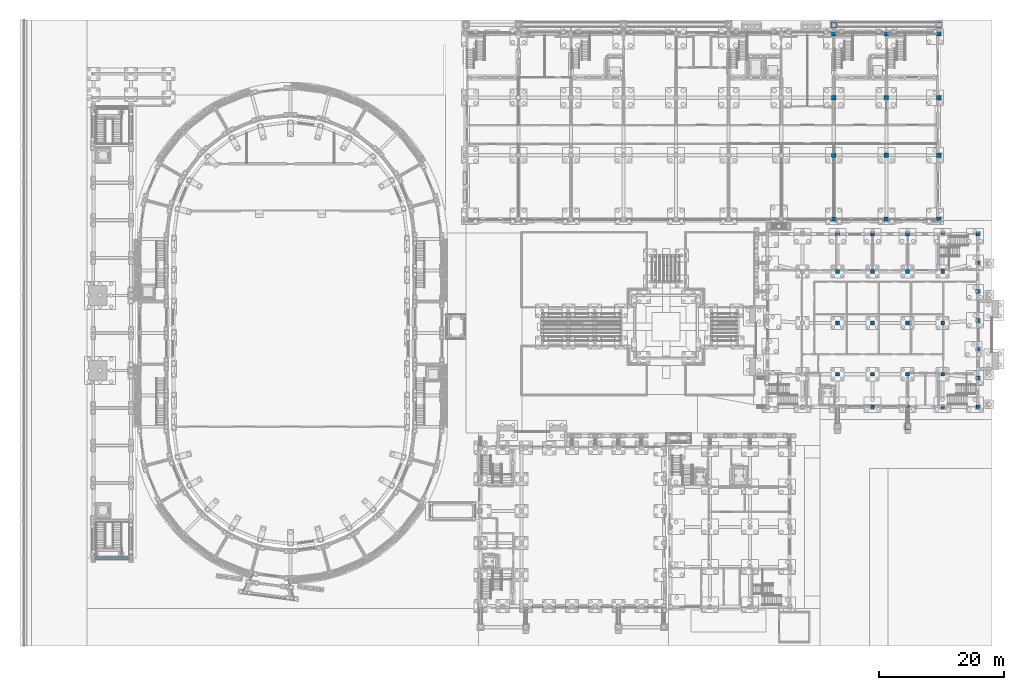
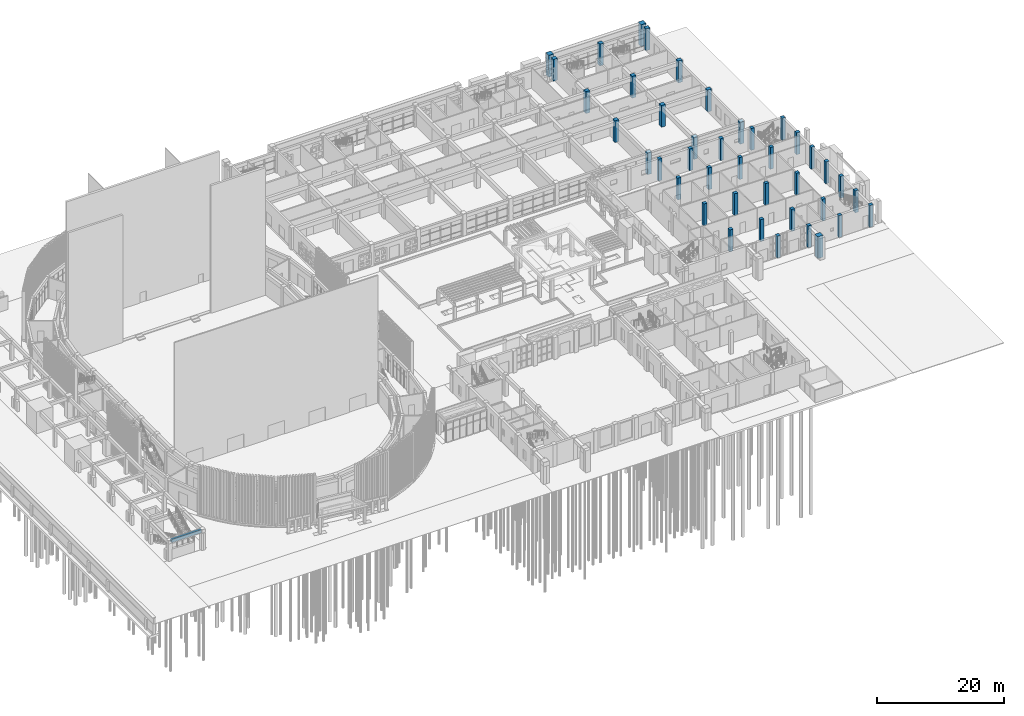
# One storey, part 14 of 112: 41 columns, 1 beam.
"""IFC4 building model written with IfcOpenShell, lengths in metres."""

from ifc_helpers import new_model, si_unit, direction, frame, origin, origin_2d, place, context, subcontext, project, spatial, rectangle, extrude, material, material_profile, profile_set, type_object, element, save


model = new_model("IFC4")

# Units and contexts
model_context = context("Model", 3, precision=1e-05, world=origin(), true_north=direction((0.0, 1.0)))
body_context = subcontext(model_context, "Body", "Model", "MODEL_VIEW")
ifc_project = project(units=[si_unit("LENGTHUNIT", "METRE"), si_unit("AREAUNIT", "SQUARE_METRE"), si_unit("VOLUMEUNIT", "CUBIC_METRE"), si_unit("PLANEANGLEUNIT", "RADIAN"), si_unit("MASSUNIT", "GRAM", prefix="KILO")], contexts=[model_context])

# Site, building, storey
site_placement = place(None, origin())
site = spatial("IfcSite", under=ifc_project, at=site_placement, CompositionType="ELEMENT")
building_placement = place(site_placement, origin())
building = spatial("IfcBuilding", under=site, at=building_placement, Name="Wasatch Bagh Community Centre", CompositionType="ELEMENT")
storey_placement = place(building_placement, origin())
storey = spatial("IfcBuildingStorey", under=building, at=storey_placement, Name="L00", CompositionType="ELEMENT", Elevation=0.0)

# Columns
ifc_material_1 = material(Name="Concrete C40", Category="concrete")
ifc_material_profile_1 = material_profile(ifc_material_1, rectangle(XDim=0.89990234375, YDim=0.89990234375, at=origin_2d()), Name="RC 900x900")
ifc_profile_set_1 = profile_set([ifc_material_profile_1], Name="Concrete C40")
column_type_1 = type_object("IfcColumnType", Name="CL-P1", PredefinedType="COLUMN", material=ifc_profile_set_1)
for number, where, z_axis, x_axis, name in (
    (1, (134.60009765625, 35.0, 0.0), (0.0, 0.0, 1.0), (1.0, 0.0, 0.0), "CL-P1 pier SHP2"),
    (2, (122.800048828125, 99.25, 0.0), (0.0, 0.0, 1.0), (1.0, 0.0, 0.0), "CL-P1 pier LWP05"),
    (3, (139.60009765625, 99.25, 0.0), (0.0, 0.0, 1.0), (1.0, 0.0, 0.0), "CL-P1 pier LWP06"),
):
    element("IfcColumn", number, at=place(storey_placement, frame(where, z_axis=z_axis, x_axis=x_axis)), inside=storey, type_object=column_type_1, Name=name, PredefinedType="COLUMN", context=body_context, shape_type="SweptSolid", body=[
        extrude(rectangle(XDim=0.89990234375, YDim=0.89990234375, at=origin_2d()), origin(), (0.0, 0.0, 1.0), 4.199951171875),
    ])
ifc_material_profile_2 = material_profile(ifc_material_1, rectangle(XDim=0.699951171875, YDim=0.699951171875, at=origin_2d()), Name="RC 700x700")
ifc_profile_set_2 = profile_set([ifc_material_profile_2], Name="Concrete C40")
column_type_2 = type_object("IfcColumnType", Name="LW RC 700x700", PredefinedType="COLUMN", material=ifc_profile_set_2)
for number, where, z_axis, x_axis, name in (
    (4, (122.800048828125, 87.60009765625, 0.0), (0.0, 0.0, 1.0), (1.0, 0.0, 0.0), "W8M"),
    (5, (131.199951171875, 87.60009765625, 0.0), (0.0, 0.0, 1.0), (1.0, 0.0, 0.0), "W9M"),
    (6, (139.60009765625, 87.60009765625, 0.0), (0.0, 0.0, 1.0), (1.0, 0.0, 0.0), "W10M"),
    (7, (122.800048828125, 97.800048828125, 0.0), (0.0, 0.0, 1.0), (1.0, 0.0, 0.0), "W8N"),
    (8, (131.199951171875, 97.800048828125, 0.0), (0.0, 0.0, 1.0), (1.0, 0.0, 0.0), "W9N"),
    (9, (139.60009765625, 97.800048828125, 0.0), (0.0, 0.0, 1.0), (1.0, 0.0, 0.0), "W10N"),
    (10, (122.800048828125, 78.39990234375, 0.0), (0.0, 0.0, 1.0), (1.0, 0.0, 0.0), "W8S"),
    (11, (131.199951171875, 78.39990234375, 0.0), (0.0, 0.0, 1.0), (1.0, 0.0, 0.0), "W9S"),
    (12, (139.60009765625, 78.39990234375, 0.0), (0.0, 0.0, 1.0), (1.0, 0.0, 0.0), "W10S"),
    (13, (122.800048828125, 68.199951171875, 0.0), (0.0, 0.0, 1.0), (1.0, 0.0, 0.0), "W8Z"),
    (14, (131.199951171875, 68.199951171875, 0.0), (0.0, 0.0, 1.0), (1.0, 0.0, 0.0), "W9Z"),
    (15, (139.60009765625, 68.199951171875, 0.0), (0.0, 0.0, 1.0), (1.0, 0.0, 0.0), "W10Z"),
):
    element("IfcColumn", number, at=place(storey_placement, frame(where, z_axis=z_axis, x_axis=x_axis)), inside=storey, type_object=column_type_2, Name=name, PredefinedType="COLUMN", context=body_context, shape_type="SweptSolid", body=[
        extrude(rectangle(XDim=0.699951171875, YDim=0.699951171875, at=origin_2d()), origin(), (0.0, 0.0, 1.0), 4.199951171875),
    ])
ifc_material_profile_3 = material_profile(ifc_material_1, rectangle(XDim=0.60009765625, YDim=0.60009765625, at=origin_2d()), Name="RC 600x600")
ifc_profile_set_3 = profile_set([ifc_material_profile_3], Name="Concrete C40")
column_type_3 = type_object("IfcColumnType", Name="SH RC 600x600 column", PredefinedType="COLUMN", material=ifc_profile_set_3)
for number, where, z_axis, x_axis, name in (
    (16, (129.0, 38.199951171875, 0.0), (0.0, 0.0, 1.0), (1.0, 0.0, 0.0), "SH.col.L00.p04"),
    (17, (134.60009765625, 38.199951171875, 0.0), (0.0, 0.0, 1.0), (1.0, 0.0, 0.0), "SH.col.L00.p05"),
    (18, (140.199951171875, 38.199951171875, 0.0), (0.0, 0.0, 1.0), (1.0, 0.0, 0.0), "SH.col.L00.p06"),
    (19, (145.800048828125, 38.199951171875, 0.0), (0.0, 0.0, 1.0), (1.0, 0.0, 0.0), "SH.col.L00.p07"),
    (20, (123.39990234375, 65.800048828125, 0.0), (0.0, 0.0, 1.0), (1.0, 0.0, 0.0), "SH.col.L00.p10"),
    (21, (129.0, 65.800048828125, 0.0), (0.0, 0.0, 1.0), (1.0, 0.0, 0.0), "SH.col.L00.p11"),
    (22, (134.60009765625, 65.800048828125, 0.0), (0.0, 0.0, 1.0), (1.0, 0.0, 0.0), "SH.col.L00.p12"),
    (23, (140.199951171875, 65.800048828125, 0.0), (0.0, 0.0, 1.0), (1.0, 0.0, 0.0), "SH.col.L00.p13"),
    (24, (145.800048828125, 65.800048828125, 0.0), (0.0, 0.0, 1.0), (1.0, 0.0, 0.0), "SH.col.L00.p14"),
    (25, (145.800048828125, 42.800048828125, 0.0), (0.0, 0.0, 1.0), (1.0, 0.0, 0.0), "SH.col.L00.p20"),
    (26, (145.800048828125, 47.39990234375, 0.0), (0.0, 0.0, 1.0), (1.0, 0.0, 0.0), "SH.col.L00.p21"),
    (27, (145.800048828125, 52.0, 0.0), (0.0, 0.0, 1.0), (1.0, 0.0, 0.0), "SH.col.L00.p22"),
    (28, (145.800048828125, 56.60009765625, 0.0), (0.0, 0.0, 1.0), (1.0, 0.0, 0.0), "SH.col.L00.p23"),
    (29, (145.800048828125, 61.199951171875, 0.0), (0.0, 0.0, 1.0), (1.0, 0.0, 0.0), "SH.col.L00.p24"),
    (30, (123.39990234375, 51.60009765625, 0.0), (0.0, 0.0, 1.0), (1.0, 0.0, 0.0), "SH.col.L00.i02"),
    (31, (129.0, 51.60009765625, 0.0), (0.0, 0.0, 1.0), (1.0, 0.0, 0.0), "SH.col.L00.i03"),
    (32, (134.60009765625, 51.60009765625, 0.0), (0.0, 0.0, 1.0), (1.0, 0.0, 0.0), "SH.col.L00.i04"),
    (33, (140.199951171875, 51.60009765625, 0.0), (0.0, 0.0, 1.0), (1.0, 0.0, 0.0), "SH.col.L00.i05"),
    (34, (123.39990234375, 59.800048828125, 0.0), (0.0, 0.0, 1.0), (1.0, 0.0, 0.0), "SH.col.L00.i07"),
    (35, (129.0, 59.800048828125, 0.0), (0.0, 0.0, 1.0), (1.0, 0.0, 0.0), "SH.col.L00.i08"),
    (36, (134.60009765625, 59.800048828125, 0.0), (0.0, 0.0, 1.0), (1.0, 0.0, 0.0), "SH.col.L00.i09"),
    (37, (140.199951171875, 59.800048828125, 0.0), (0.0, 0.0, 1.0), (1.0, 0.0, 0.0), "SH.col.L00.i10"),
    (38, (123.39990234375, 43.39990234375, 0.0), (0.0, 0.0, 1.0), (1.0, 0.0, 0.0), "SH.col.L00.g02"),
    (39, (129.0, 43.39990234375, 0.0), (0.0, 0.0, 1.0), (1.0, 0.0, 0.0), "SH.col.L00.g03"),
    (40, (134.60009765625, 43.39990234375, 0.0), (0.0, 0.0, 1.0), (1.0, 0.0, 0.0), "SH.col.L00.g04"),
    (41, (140.199951171875, 43.39990234375, 0.0), (0.0, 0.0, 1.0), (1.0, 0.0, 0.0), "SH.col.L00.g05"),
):
    element("IfcColumn", number, at=place(storey_placement, frame(where, z_axis=z_axis, x_axis=x_axis)), inside=storey, type_object=column_type_3, Name=name, PredefinedType="COLUMN", context=body_context, shape_type="SweptSolid", body=[
        extrude(rectangle(XDim=0.60009765625, YDim=0.60009765625, at=origin_2d()), origin(), (0.0, 0.0, 1.0), 4.199951171875),
    ])

# Beam
ifc_material_2 = material(Name="Concrete C35", Category="concrete")
ifc_material_profile_4 = material_profile(ifc_material_2, rectangle(XDim=0.35009765625, YDim=0.60009765625, at=origin_2d()), Name="RC 350x600")
ifc_profile_set_4 = profile_set([ifc_material_profile_4], Name="Concrete C35")
beam_type = type_object("IfcBeamType", Name="CT-B2", PredefinedType="BEAM", material=ifc_profile_set_4)
beam_placement = place(storey_placement, frame((4.75, 14.0, 3.64990234375), z_axis=(1.0, 0.0, 0.0), x_axis=(0.0, 1.0, 0.0)))
element("IfcBeam", 42, at=beam_placement, inside=storey, type_object=beam_type, Name="CT.beam.L00.X026", PredefinedType="BEAM", context=body_context, shape_type="SweptSolid", body=[
    extrude(rectangle(XDim=0.35009765625, YDim=0.60009765625, at=origin_2d()), origin(), (0.0, 0.0, 1.0), 5.5),
])

save(model, "model.ifc")
